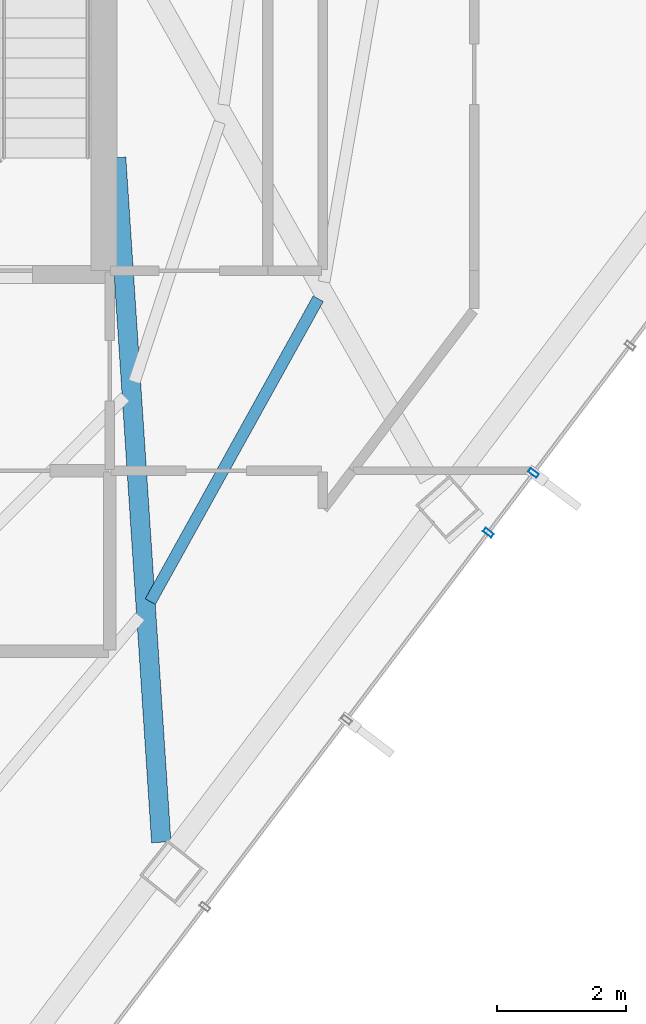
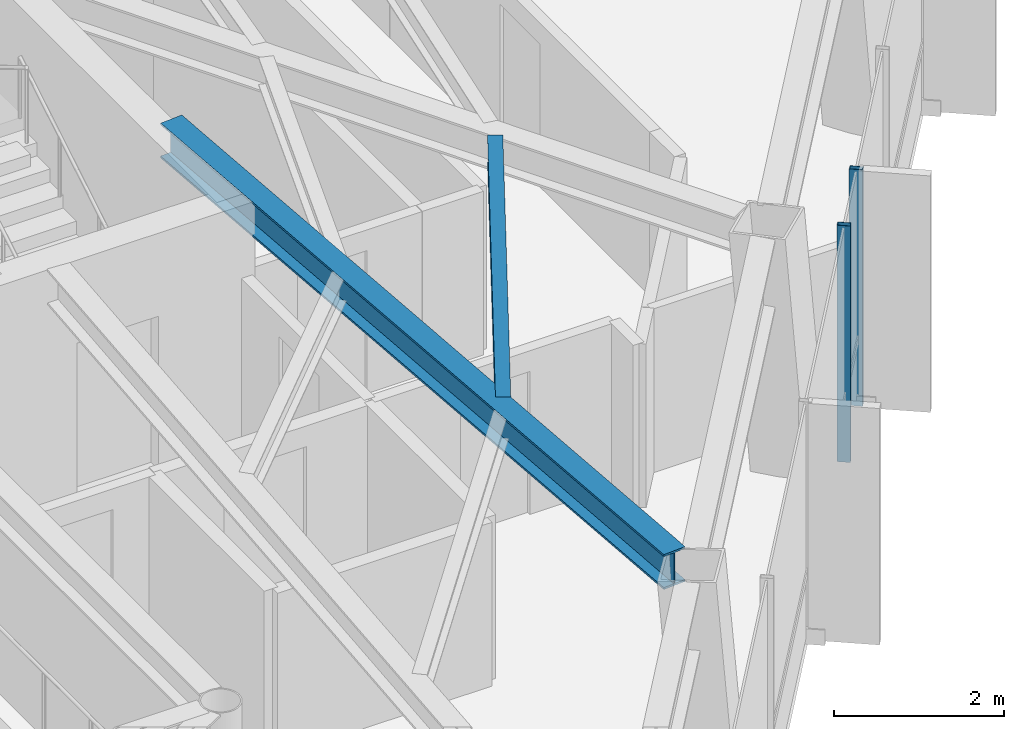
# One storey, part 17 of 28: 2 beams, 2 members, 1 element without a shape of its own.
"""IFC4 building model written with IfcOpenShell, lengths in metres."""

from ifc_helpers import new_model, si_unit, direction, frame, origin, origin_2d, place, context, subcontext, project, spatial, hollow_rectangle, i_section, extrude, material, layer, layer_set, material_profile, profile_set, type_object, element, aggregate, save


model = new_model("IFC4")

# Units and contexts
model_context = context("Model", 3, precision=1e-05, world=origin(), true_north=direction((0.0, 1.0)))
body_context = subcontext(model_context, "Body", "Model", "MODEL_VIEW")
ifc_project = project(units=[si_unit("LENGTHUNIT", "METRE"), si_unit("AREAUNIT", "SQUARE_METRE"), si_unit("VOLUMEUNIT", "CUBIC_METRE"), si_unit("PLANEANGLEUNIT", "RADIAN"), si_unit("MASSUNIT", "GRAM", prefix="KILO")], contexts=[model_context])

# Site, building, storey
site_placement = place(None, origin())
site = spatial("IfcSite", under=ifc_project, at=site_placement, CompositionType="ELEMENT")
building_placement = place(site_placement, origin())
building = spatial("IfcBuilding", under=site, at=building_placement, Name="Zarrinselat Tower", CompositionType="ELEMENT")
storey_placement = place(building_placement, frame((0.0, 0.0, 190.739990234375)))
storey = spatial("IfcBuildingStorey", under=building, at=storey_placement, Name="L47", CompositionType="ELEMENT", Elevation=190.739990234375)

# Beams
ifc_material_1 = material(Name="Steel S355J2", Category="steel")
ifc_material_profile_1 = material_profile(ifc_material_1, i_section(OverallWidth=0.300048828125, OverallDepth=0.5, WebThickness=0.014404296875, FlangeThickness=0.028076171875, at=origin_2d()), Name="HEB 500")
ifc_profile_set_1 = profile_set([ifc_material_profile_1], Name="Steel S355J2")
beam_type_1 = type_object("IfcBeamType", Name="BM-HEB500", PredefinedType="BEAM", material=ifc_profile_set_1)
beam_1_placement = place(storey_placement, frame((48.449951171875, 35.0, 3.139892578125), z_axis=(0.065769103006, -0.997834868648, 0.0), x_axis=(0.997834868648, 0.065769103006, 0.0)))
element("IfcBeam", 1, at=beam_1_placement, inside=storey, type_object=beam_type_1, Name="L47 Radial Primary Girder RG12", PredefinedType="BEAM", context=body_context, shape_type="SweptSolid", body=[
    extrude(i_section(OverallWidth=0.300048828125, OverallDepth=0.5, WebThickness=0.014404296875, FlangeThickness=0.028076171875, at=origin_2d()), origin(), (0.0, 0.0, 1.0), 10.63134765625),
])
ifc_material_2 = material(Name="Steel S355J2", Category="steel")
ifc_material_profile_2 = material_profile(ifc_material_2, i_section(OverallWidth=0.179931640625, OverallDepth=0.39990234375, WebThickness=0.008544921875, FlangeThickness=0.013427734375, at=origin_2d()), Name="IPE 400")
ifc_profile_set_2 = profile_set([ifc_material_profile_2], Name="Steel S355J2")
beam_type_2 = type_object("IfcBeamType", Name="BM-IPE400", PredefinedType="JOIST", material=ifc_profile_set_2)
beam_2_placement = place(storey_placement, frame((48.979248046875, 28.120849609375, 3.18994140625), z_axis=(0.48483178017, 0.874607423326, 0.0), x_axis=(-0.874607423326, 0.48483178017, 0.0)))
element("IfcBeam", 2, at=beam_2_placement, inside=storey, type_object=beam_type_2, Name="L47 Composite Floor Joist 4-1", PredefinedType="JOIST", context=body_context, shape_type="SweptSolid", body=[
    extrude(i_section(OverallWidth=0.179931640625, OverallDepth=0.39990234375, WebThickness=0.008544921875, FlangeThickness=0.013427734375, at=origin_2d()), origin(), (0.0, 0.0, 1.0), 5.367919921875),
])

# Curtain wall, members
ifc_material_3 = material(Name="Extruded Aluminium Alloy EN AW-6063 T6", Category="aluminium")
ifc_layer = layer(ifc_material_3, 0.175048828125)
ifc_layer_set = layer_set([ifc_layer], Name="Extruded Aluminium Alloy EN AW-6063 T6")
curtain_wall_type = type_object("IfcCurtainWallType", Name="CWS-HTL", PredefinedType="NOTDEFINED", material=ifc_layer_set)
curtain_wall_placement = place(storey_placement, origin())
curtain_wall = element("IfcCurtainWall", 3, at=curtain_wall_placement, inside=storey, type_object=curtain_wall_type, Name="L47 Unitised Curtain Wall CW-L47-E05", PredefinedType="NOTDEFINED")
ifc_material_4 = material(Name="Extruded Aluminium Alloy EN AW-6063 T6", Category="aluminium")
ifc_material_profile_3 = material_profile(ifc_material_4, hollow_rectangle(XDim=0.070068359375, YDim=0.159912109375, WallThickness=0.00390625, at=origin_2d()), Name="RHS 160x70x4")
ifc_profile_set_3 = profile_set([ifc_material_profile_3], Name="Extruded Aluminium Alloy EN AW-6063 T6")
member_type = type_object("IfcMemberType", Name="MEM-CW-MUL2", PredefinedType="MULLION", material=ifc_profile_set_3)
member_1_placement = place(storey_placement, frame((54.218017578125, 29.188720703125, 0.0), z_axis=(0.0, 0.0, 1.0), x_axis=(0.603856629551, 0.797092950005, 0.0)))
member_1 = element("IfcMember", 4, at=member_1_placement, type_object=member_type, Name="CW-L47-E05 Mullion 4", PredefinedType="MULLION", context=body_context, shape_type="SweptSolid", body=[
    extrude(hollow_rectangle(XDim=0.070068359375, YDim=0.159912109375, WallThickness=0.00390625, at=origin_2d()), origin(), (0.0, 0.0, 1.0), 3.389892578125),
])
member_2_placement = place(storey_placement, frame((54.918701171875, 30.11376953125, 0.0), z_axis=(0.0, 0.0, 1.0), x_axis=(0.603856629551, 0.797092950005, 0.0)))
member_2 = element("IfcMember", 5, at=member_2_placement, type_object=member_type, Name="CW-L47-E05 Mullion 5", PredefinedType="MULLION", context=body_context, shape_type="SweptSolid", body=[
    extrude(hollow_rectangle(XDim=0.070068359375, YDim=0.159912109375, WallThickness=0.00390625, at=origin_2d()), origin(), (0.0, 0.0, 1.0), 3.389892578125),
])
aggregate(curtain_wall, [member_1, member_2])

save(model, "model.ifc")
